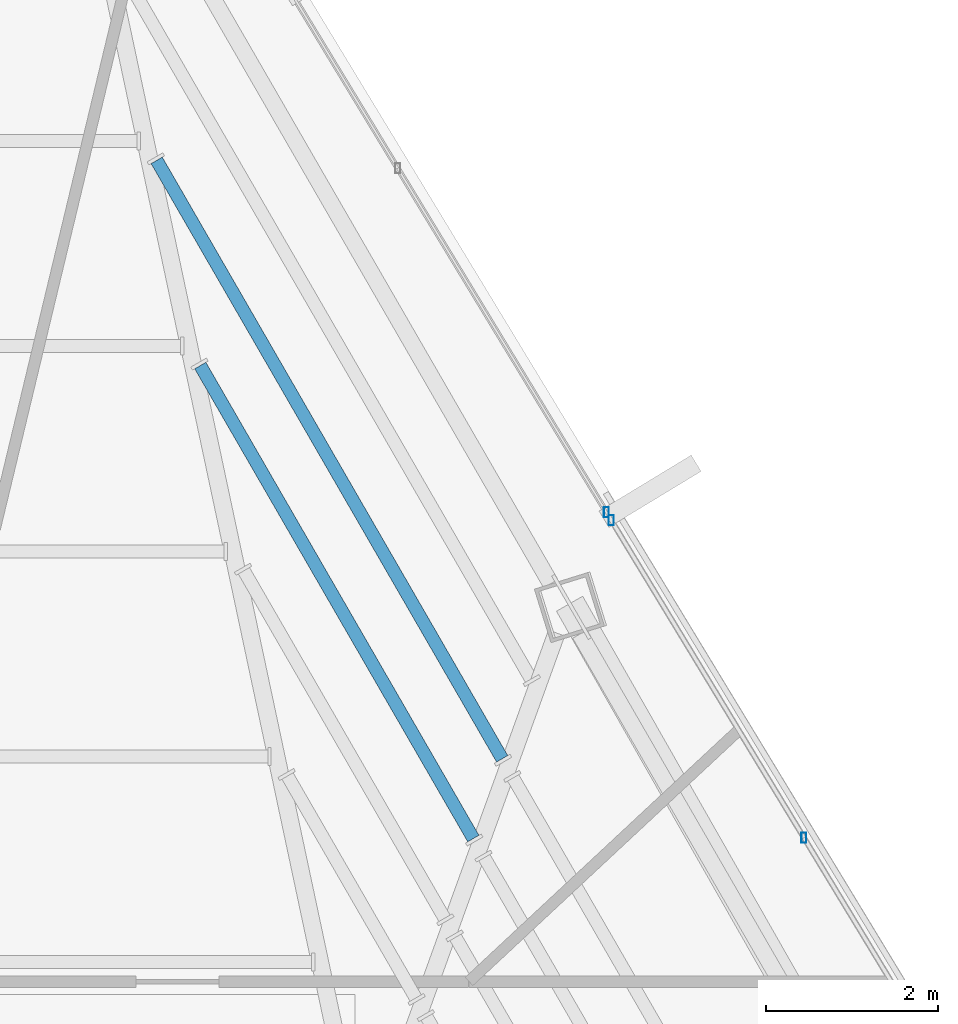
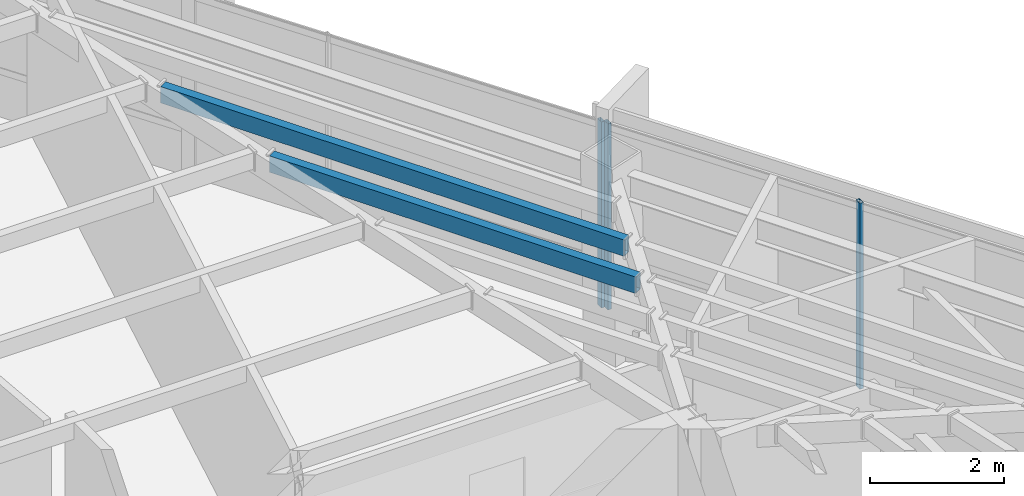
# One storey, part 30 of 47: 3 members, 2 beams, 2 elements without a shape of their own.
"""IFC4 building model written with IfcOpenShell, lengths in metres."""

from ifc_helpers import new_model, si_unit, direction, frame, origin, origin_2d, place, context, subcontext, project, spatial, hollow_rectangle, extrude, source, transform, mapped, material, material_profile, profile_set, type_object, type_shapes, element, aggregate, save


model = new_model("IFC4")

# Units and contexts
model_context = context("Model", 3, precision=1e-05, world=origin(), true_north=direction((0.0, 1.0)))
body_context = subcontext(model_context, "Body", "Model", "MODEL_VIEW")
ifc_project = project(units=[si_unit("LENGTHUNIT", "METRE"), si_unit("AREAUNIT", "SQUARE_METRE"), si_unit("VOLUMEUNIT", "CUBIC_METRE"), si_unit("PLANEANGLEUNIT", "RADIAN"), si_unit("MASSUNIT", "GRAM", prefix="KILO")], contexts=[model_context])

# Site, building, storey
site_placement = place(None, origin())
site = spatial("IfcSite", under=ifc_project, at=site_placement, CompositionType="ELEMENT")
building_placement = place(site_placement, origin())
building = spatial("IfcBuilding", under=site, at=building_placement, Name="Caelisora Broadcast Tower", CompositionType="ELEMENT")
storey_placement = place(building_placement, frame((0.0, 0.0, 248.10009765625)))
storey = spatial("IfcBuildingStorey", under=building, at=storey_placement, Name="L65", CompositionType="ELEMENT", Elevation=248.10009765625)

# Beams
ifc_material_1 = material(Name="Steel Grade 350 (AS/NZS 1163 C350L0)", Category="steel")
ifc_material_profile_1 = material_profile(ifc_material_1, hollow_rectangle(XDim=0.14990234375, YDim=0.300048828125, WallThickness=0.010009765625, at=origin_2d()), Name="Steel Grade 350 (AS/NZS 1163 C350L0)")
ifc_profile_set_1 = profile_set([ifc_material_profile_1], Name="Steel Grade 350 (AS/NZS 1163 C350L0)")
beam_type = type_object("IfcBeamType", Name="SB05", PredefinedType="JOIST", material=ifc_profile_set_1)
shared_shape_1 = source(origin(), body_context, "Body", "SweptSolid", [
    extrude(hollow_rectangle(XDim=0.14990234375, YDim=0.300048828125, WallThickness=0.010009765625, at=origin_2d()), origin(), (0.0, 0.0, 1.0), 6.336181640625),
])
beam_1_placement = place(storey_placement, frame((46.773681640625, 33.81103515625, 3.25), z_axis=(-0.499984838248, 0.866034157249, 0.0), x_axis=(-0.866034157249, -0.499984838248, 0.0)))
element("IfcBeam", 1, at=beam_1_placement, inside=storey, type_object=beam_type, Name="L65 beam SB05", PredefinedType="JOIST", context=body_context, shape_type="MappedRepresentation", body=[
    mapped(shared_shape_1, transform((0.0, 0.0, 0.0), scale=1.0)),
])
shared_shape_2 = source(origin(), body_context, "Body", "SweptSolid", [
    extrude(hollow_rectangle(XDim=0.14990234375, YDim=0.300048828125, WallThickness=0.010009765625, at=origin_2d()), origin(), (0.0, 0.0, 1.0), 8.01708984375),
])
type_shapes(beam_type, [shared_shape_1, shared_shape_2])
beam_2_placement = place(storey_placement, frame((47.108154296875, 34.736083984375, 3.25), z_axis=(-0.499993963484, 0.866028888941, 0.0), x_axis=(-0.866028888941, -0.499993963484, 0.0)))
element("IfcBeam", 2, at=beam_2_placement, inside=storey, type_object=beam_type, Name="L65 beam SB05", PredefinedType="JOIST", context=body_context, shape_type="MappedRepresentation", body=[
    mapped(shared_shape_2, transform((0.0, 0.0, 0.0), scale=1.0)),
])

# Curtain wall, member
ifc_material_2 = material(Name="Unitised Aluminium and Low-E Glass Curtain Wall", Category="glass")
curtain_wall_type_1 = type_object("IfcCurtainWallType", Name="CW-Z5", PredefinedType="NOTDEFINED", material=ifc_material_2)
curtain_wall_1_placement = place(storey_placement, origin())
curtain_wall_1 = element("IfcCurtainWall", 3, at=curtain_wall_1_placement, inside=storey, type_object=curtain_wall_type_1, Name="L65 curtain wall CW-Z5", PredefinedType="NOTDEFINED")
ifc_material_3 = material(Name="Aluminium 6063-T6 Anodised Terracotta Bronze", Category="aluminium")
ifc_material_profile_2 = material_profile(ifc_material_3, hollow_rectangle(XDim=0.06005859375, YDim=0.1201171875, WallThickness=0.0029296875, at=origin_2d()), Name="Aluminium 6063-T6 Anodised Terracotta Bronze")
ifc_profile_set_2 = profile_set([ifc_material_profile_2], Name="Aluminium 6063-T6 Anodised Terracotta Bronze")
member_type = type_object("IfcMemberType", Name="CWM-04", PredefinedType="MULLION", material=ifc_profile_set_2)
shared_shape_3 = source(origin(), body_context, "Body", "SweptSolid", [
    extrude(hollow_rectangle(XDim=0.06005859375, YDim=0.1201171875, WallThickness=0.0029296875, at=origin_2d()), origin(), (0.0, 0.0, 1.0), 3.39990234375),
])
type_shapes(member_type, [shared_shape_3])
member_1_placement = place(storey_placement, frame((48.31689453125, 37.597412109375, 0.0), z_axis=(0.0, 0.0, 1.0), x_axis=(1.0, 0.0, 0.0)))
member_1 = element("IfcMember", 4, at=member_1_placement, type_object=member_type, Name="L65-CW-B01 mullion #3", PredefinedType="MULLION", context=body_context, shape_type="MappedRepresentation", body=[
    mapped(shared_shape_3, transform((0.0, 0.0, 0.0), scale=1.0)),
])
aggregate(curtain_wall_1, [member_1])

# Curtain wall, members
ifc_material_4 = material(Name="Unitised Aluminium Insulated Shadow-Box Spandrel Curtain Wall", Category="aluminium")
curtain_wall_type_2 = type_object("IfcCurtainWallType", Name="CW-SP3", PredefinedType="NOTDEFINED", material=ifc_material_4)
curtain_wall_2_placement = place(storey_placement, origin())
curtain_wall_2 = element("IfcCurtainWall", 5, at=curtain_wall_2_placement, inside=storey, type_object=curtain_wall_type_2, Name="L65 curtain wall CW-SP3", PredefinedType="NOTDEFINED")
member_2_placement = place(storey_placement, frame((48.3740234375, 37.50341796875, 0.0), z_axis=(0.0, 0.0, 1.0), x_axis=(1.0, 0.0, 0.0)))
member_2 = element("IfcMember", 6, at=member_2_placement, type_object=member_type, Name="L65-CW-B02 mullion #0", PredefinedType="MULLION", context=body_context, shape_type="MappedRepresentation", body=[
    mapped(shared_shape_3, transform((0.0, 0.0, 0.0), scale=1.0)),
])
member_3_placement = place(storey_placement, frame((50.608642578125, 33.821044921875, 0.0), z_axis=(0.0, 0.0, 1.0), x_axis=(1.0, 0.0, 0.0)))
member_3 = element("IfcMember", 7, at=member_3_placement, type_object=member_type, Name="L65-CW-B02 mullion #1", PredefinedType="MULLION", context=body_context, shape_type="MappedRepresentation", body=[
    mapped(shared_shape_3, transform((0.0, 0.0, 0.0), scale=1.0)),
])
aggregate(curtain_wall_2, [member_2, member_3])

save(model, "model.ifc")
